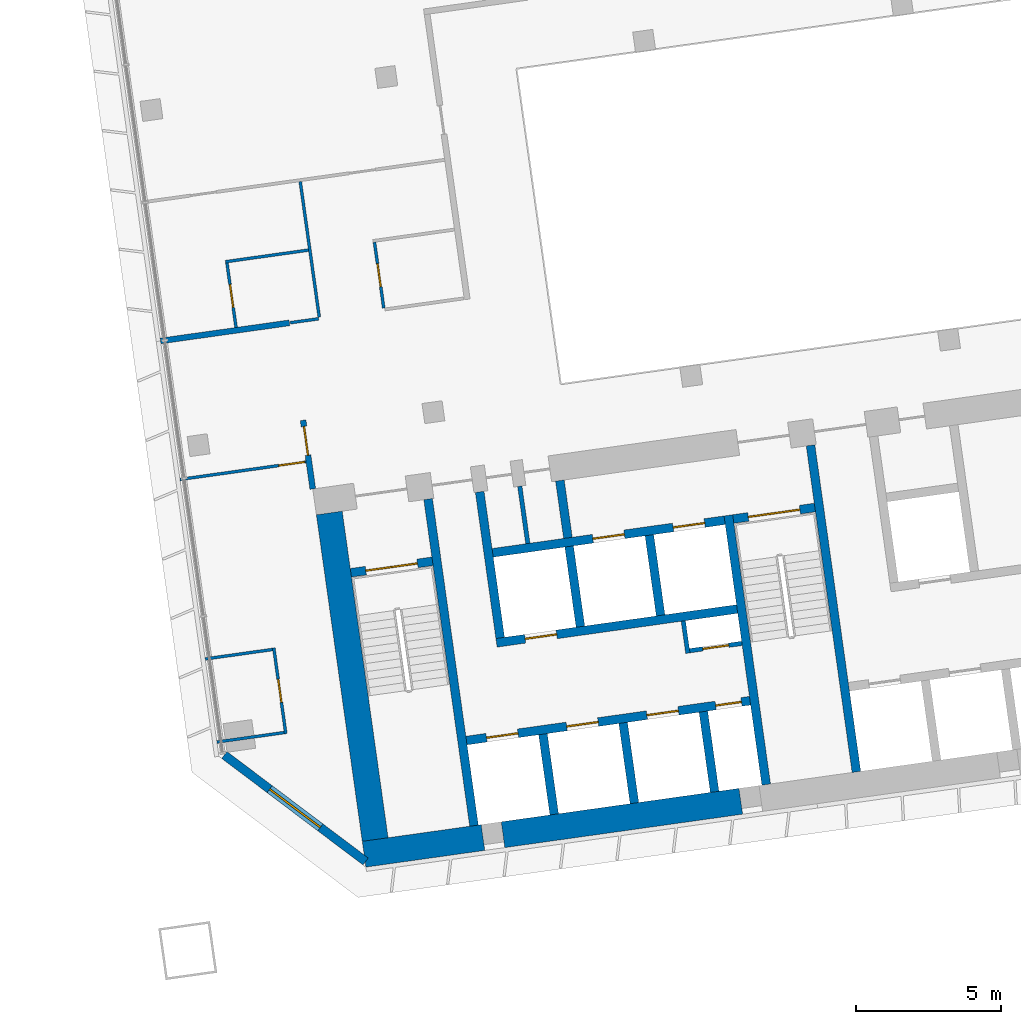
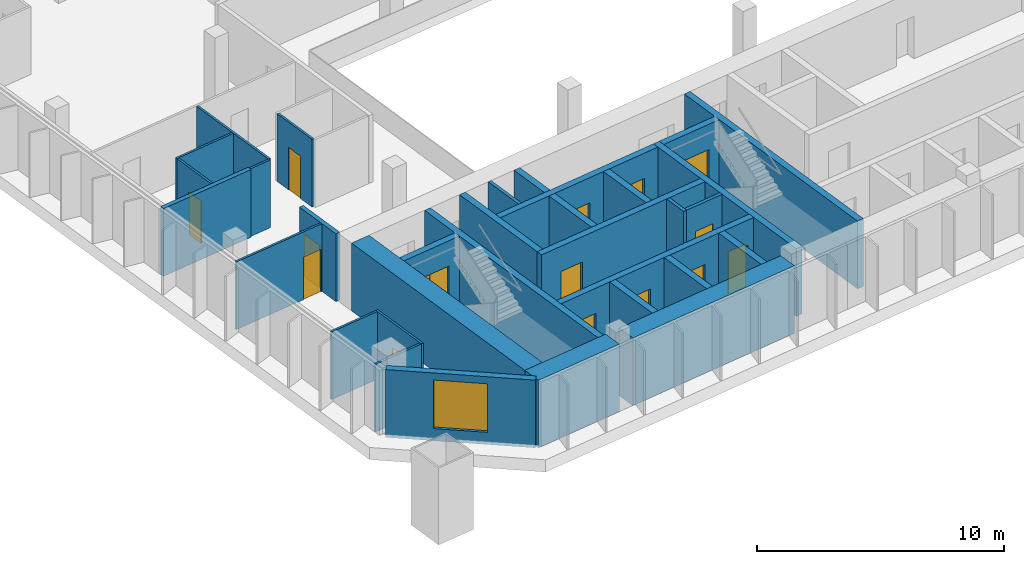
# One storey, part 19 of 25: 33 walls, 15 doors, 1 window, 16 openings.
"""IFC4 building model written with IfcOpenShell, lengths in metres."""

from ifc_helpers import new_model, si_unit, direction, frame, frame_2d, origin, place, context, subcontext, project, spatial, rectangle, extrude, material, layer, layer_set, type_object, element, fill, save


model = new_model("IFC4")

# Units and contexts
model_context = context("Model", 3, precision=1e-05, world=origin(), true_north=direction((0.0, 1.0)))
body_context = subcontext(model_context, "Body", "Model", "MODEL_VIEW")
ifc_project = project(units=[si_unit("LENGTHUNIT", "METRE"), si_unit("AREAUNIT", "SQUARE_METRE"), si_unit("VOLUMEUNIT", "CUBIC_METRE"), si_unit("PLANEANGLEUNIT", "RADIAN"), si_unit("MASSUNIT", "GRAM", prefix="KILO")], contexts=[model_context])

# Site, building, storey
site_placement = place(None, origin())
site = spatial("IfcSite", under=ifc_project, at=site_placement, CompositionType="ELEMENT")
building_placement = place(site_placement, origin())
building = spatial("IfcBuilding", under=site, at=building_placement, Name="Mirante Cascada Hotel Towers", CompositionType="ELEMENT")
storey_placement = place(building_placement, frame((0.0, 0.0, 58.5)))
storey = spatial("IfcBuildingStorey", under=building, at=storey_placement, Name="L11", CompositionType="ELEMENT", Elevation=58.5)

# Wall
ifc_material_1 = material(Name="Fire-rated plasterboard on metal studs")
ifc_layer_1 = layer(ifc_material_1, 0.2)
ifc_layer_set_1 = layer_set([ifc_layer_1], Name="Compartment wall 200 EI 120")
wall_type_1 = type_object("IfcWallType", Name="Compartment wall 200 EI 120", PredefinedType="PARTITIONING", material=ifc_layer_set_1)
wall_1_placement = place(storey_placement, frame((30.0, -2.0, 0.0), z_axis=(0.0, 0.0, 1.0), x_axis=(0.9902674, 0.1391779, 0.0)))
element("IfcWall", 1, at=wall_1_placement, inside=storey, type_object=wall_type_1, Name="Wall 2-L11-04", PredefinedType="PARTITIONING", context=body_context, shape_type="SweptSolid", body=[
    extrude(rectangle(XDim=4.5, YDim=0.2, at=frame_2d((2.25, 0.0))), origin(), (0.0, 0.0, 1.0), 3.35),
])

# Wall, opening, door
wall_2_placement = place(storey_placement, frame((34.9294, -4.7406, 0.0), z_axis=(0.0, 0.0, 1.0), x_axis=(0.1391635, -0.9902694, 0.0)))
wall_2 = element("IfcWall", 2, at=wall_2_placement, inside=storey, type_object=wall_type_1, Name="Wall 2-L11-33", PredefinedType="PARTITIONING", context=body_context, shape_type="SweptSolid", body=[
    extrude(rectangle(XDim=2.4001, YDim=0.2, at=frame_2d((1.2, 0.0))), origin(), (0.0, 0.0, 1.0), 3.35),
])
opening_1_placement = place(wall_2_placement, frame((0.2167, 0.0, 0.0)))
opening_1 = element("IfcOpeningElement", 3, at=opening_1_placement, cuts=wall_2, Name="Opening D2-L11-28", PredefinedType="OPENING", context=body_context, shape_type="SweptSolid", body=[
    extrude(rectangle(XDim=1.0, YDim=2.1, at=frame_2d((0.5, 1.05))), frame((0.0, 0.1, 0.0), z_axis=(0.0, -1.0, 0.0), x_axis=(1.0, 0.0, 0.0)), (0.0, 0.0, 1.0), 0.2),
])
ifc_material_2 = material(Name="Fire-rated timber door leaf", Category="wood")
door_type_1 = type_object("IfcDoorType", Name="Entrance door DG1 1000x2100 EI 60", OperationType="SINGLE_SWING_LEFT", PredefinedType="DOOR", material=ifc_material_2)
door_1_placement = place(opening_1_placement, frame((1.0, 0.0, 0.0), z_axis=(0.0, 0.0, 1.0), x_axis=(-1.0, 0.0, 0.0)))
door_1 = element("IfcDoor", 4, at=door_1_placement, inside=storey, type_object=door_type_1, Name="Door D2-L11-28", OperationType="SINGLE_SWING_RIGHT", OverallHeight=2.1, OverallWidth=1.0, PredefinedType="DOOR", context=body_context, shape_type="SweptSolid", body=[
    extrude(rectangle(XDim=1.0, YDim=2.1, at=frame_2d((0.5, 1.05))), frame((0.0, 0.025, 0.0), z_axis=(0.0, -1.0, 0.0), x_axis=(1.0, 0.0, 0.0)), (0.0, 0.0, 1.0), 0.05),
])
fill(opening_1, door_1)

# Wall
ifc_material_3 = material(Name="Masonry block", Category="masonry")
ifc_layer_2 = layer(ifc_material_3, 0.15)
ifc_layer_set_2 = layer_set([ifc_layer_2], Name="Core room partition 150 block EI 30")
wall_type_2 = type_object("IfcWallType", Name="Core room partition 150 block EI 30", PredefinedType="PARTITIONING", material=ifc_layer_set_2)
wall_3_placement = place(storey_placement, frame((48.2295, -12.793, 0.0), z_axis=(0.0, 0.0, 1.0), x_axis=(-0.1391935, 0.9902652, 0.0)))
element("IfcWall", 5, at=wall_3_placement, inside=storey, type_object=wall_type_2, Name="Core wall partition T2 L11 2", PredefinedType="PARTITIONING", context=body_context, shape_type="SweptSolid", body=[
    extrude(rectangle(XDim=1.1251, YDim=0.15, at=frame_2d((0.5626, 0.0))), origin(), (0.0, 0.0, 1.0), 3.35),
])

# Wall, opening, door
wall_4_placement = place(storey_placement, frame((48.2933, -12.7083, 0.0), z_axis=(0.0, 0.0, 1.0), x_axis=(0.990268, 0.1391734, 0.0)))
wall_4 = element("IfcWall", 6, at=wall_4_placement, inside=storey, type_object=wall_type_2, Name="Core wall partition T2 L11 3", PredefinedType="PARTITIONING", context=body_context, shape_type="SweptSolid", body=[
    extrude(rectangle(XDim=1.8251, YDim=0.15, at=frame_2d((0.9126, 0.0))), origin(), (0.0, 0.0, 1.0), 3.35),
])
opening_2_placement = place(wall_4_placement, frame((0.4625, 0.0, 0.0)))
opening_2 = element("IfcOpeningElement", 7, at=opening_2_placement, cuts=wall_4, Name="Opening D2-11-C23", PredefinedType="OPENING", context=body_context, shape_type="SweptSolid", body=[
    extrude(rectangle(XDim=0.9, YDim=2.1, at=frame_2d((0.45, 1.05))), frame((0.0, 0.075, 0.0), z_axis=(0.0, -1.0, 0.0), x_axis=(1.0, 0.0, 0.0)), (0.0, 0.0, 1.0), 0.15),
])
ifc_material_4 = material(Name="Hollow metal fire door leaf")
door_type_2 = type_object("IfcDoorType", Name="Fire door 900x2100 FD60", OperationType="NOTDEFINED", PredefinedType="DOOR", material=ifc_material_4)
door_2_placement = place(opening_2_placement, frame((0.9, 0.0, 0.0), z_axis=(0.0, 0.0, 1.0), x_axis=(-1.0, 0.0, 0.0)))
door_2 = element("IfcDoor", 8, at=door_2_placement, inside=storey, type_object=door_type_2, Name="Riser door T2 L11 23", OperationType="SINGLE_SWING_RIGHT", OverallHeight=2.1, OverallWidth=0.9, PredefinedType="DOOR", context=body_context, shape_type="SweptSolid", body=[
    extrude(rectangle(XDim=0.9, YDim=2.1, at=frame_2d((0.45, 1.05))), frame((0.0, 0.025, 0.0), z_axis=(0.0, -1.0, 0.0), x_axis=(1.0, 0.0, 0.0)), (0.0, 0.0, 1.0), 0.05),
])
fill(opening_2, door_2)

# Walls
wall_5_placement = place(storey_placement, frame((42.6979, -9.0009, 0.0), z_axis=(0.0, 0.0, 1.0), x_axis=(-0.1391529, 0.9902709, 0.0)))
element("IfcWall", 9, at=wall_5_placement, inside=storey, type_object=wall_type_2, Name="Core wall partition T2 L11 4", PredefinedType="PARTITIONING", context=body_context, shape_type="SweptSolid", body=[
    extrude(rectangle(XDim=2.0, YDim=0.15, at=frame_2d((1.0, 0.0))), origin(), (0.0, 0.0, 1.0), 3.35),
])
ifc_material_5 = material(Name="Masonry block", Category="masonry")
ifc_layer_3 = layer(ifc_material_5, 0.3)
ifc_layer_set_3 = layer_set([ifc_layer_3], Name="Core wall 300 block EI 120")
wall_type_3 = type_object("IfcWallType", Name="Core wall 300 block EI 120", PredefinedType="PARTITIONING", material=ifc_layer_set_3)
wall_6_placement = place(storey_placement, frame((44.0843, -8.8061, 0.0), z_axis=(0.0, 0.0, 1.0), x_axis=(-0.1391951, 0.990265, 0.0)))
element("IfcWall", 10, at=wall_6_placement, inside=storey, type_object=wall_type_3, Name="Core wall partition T2 L11 1", PredefinedType="PARTITIONING", context=body_context, shape_type="SweptSolid", body=[
    extrude(rectangle(XDim=2.0001, YDim=0.3, at=frame_2d((1.0001, 0.0))), origin(), (0.0, 0.0, 1.0), 3.35),
])
ifc_material_6 = material(Name="Plasterboard on metal studs")
ifc_layer_4 = layer(ifc_material_6, 0.1)
ifc_layer_set_4 = layer_set([ifc_layer_4], Name="Partition 100")
wall_type_4 = type_object("IfcWallType", Name="Partition 100", PredefinedType="PARTITIONING", material=ifc_layer_set_4)
for number, where, z_axis, x_axis, name in (
    (11, (34.2756, -15.5367, 0.0), (0.0, 0.0, 1.0), (-0.9902661, -0.139187, 0.0), "Wall 2-L11-01"),
    (12, (31.5448, -12.992, 0.0), (0.0, 0.0, 1.0), (0.9902661, 0.139187, 0.0), "Wall 2-L11-02"),
):
    element("IfcWall", number, at=place(storey_placement, frame(where, z_axis=z_axis, x_axis=x_axis)), inside=storey, type_object=wall_type_4, Name=name, PredefinedType="PARTITIONING", context=body_context, shape_type="SweptSolid", body=[
        extrude(rectangle(XDim=2.3501, YDim=0.1, at=frame_2d((1.175, 0.0))), origin(), (0.0, 0.0, 1.0), 3.35),
    ])

# Wall, opening, door
wall_7_placement = place(storey_placement, frame((35.0298, -6.1739, 0.0), z_axis=(0.0, 0.0, 1.0), x_axis=(-0.9902665, -0.1391841, 0.0)))
wall_7 = element("IfcWall", 13, at=wall_7_placement, inside=storey, type_object=wall_type_4, Name="Wall 2-L11-03", PredefinedType="PARTITIONING", context=body_context, shape_type="SweptSolid", body=[
    extrude(rectangle(XDim=4.3999, YDim=0.1, at=frame_2d((2.2, 0.0))), origin(), (0.0, 0.0, 1.0), 3.35),
])
opening_3_placement = place(wall_7_placement, frame((0.05, 0.0, 0.0)))
opening_3 = element("IfcOpeningElement", 14, at=opening_3_placement, cuts=wall_7, Name="Opening D2-L11-01", PredefinedType="OPENING", context=body_context, shape_type="SweptSolid", body=[
    extrude(rectangle(XDim=0.9, YDim=2.1, at=frame_2d((0.45, 1.05))), frame((0.0, 0.05, 0.0), z_axis=(0.0, -1.0, 0.0), x_axis=(1.0, 0.0, 0.0)), (0.0, 0.0, 1.0), 0.1),
])
ifc_material_7 = material(Name="Timber door leaf", Category="wood")
door_type_3 = type_object("IfcDoorType", Name="Room door DG3 900x2100", OperationType="SINGLE_SWING_LEFT", PredefinedType="DOOR", material=ifc_material_7)
door_3_placement = place(opening_3_placement, origin())
door_3 = element("IfcDoor", 15, at=door_3_placement, inside=storey, type_object=door_type_3, Name="Door D2-L11-01", OperationType="SINGLE_SWING_LEFT", OverallHeight=2.1, OverallWidth=0.9, PredefinedType="DOOR", context=body_context, shape_type="SweptSolid", body=[
    extrude(rectangle(XDim=0.9, YDim=2.1, at=frame_2d((0.45, 1.05))), frame((0.0, 0.025, 0.0), z_axis=(0.0, -1.0, 0.0), x_axis=(1.0, 0.0, 0.0)), (0.0, 0.0, 1.0), 0.05),
])
fill(opening_3, door_3)

# Walls
wall_8_placement = place(storey_placement, frame((35.4663, -1.2318, 0.0), z_axis=(0.0, 0.0, 1.0), x_axis=(-0.9902801, -0.1390877, 0.0)))
element("IfcWall", 16, at=wall_8_placement, inside=storey, type_object=wall_type_4, Name="Wall 2-L11-05", PredefinedType="PARTITIONING", context=body_context, shape_type="SweptSolid", body=[
    extrude(rectangle(XDim=0.99, YDim=0.1, at=frame_2d((0.495, 0.0))), origin(), (0.0, 0.0, 1.0), 3.35),
])
wall_9_placement = place(storey_placement, frame((32.2407, 0.7385, 0.0), z_axis=(0.0, 0.0, 1.0), x_axis=(0.9902683, 0.1391714, 0.0)))
element("IfcWall", 17, at=wall_9_placement, inside=storey, type_object=wall_type_4, Name="Wall 2-L11-08", PredefinedType="PARTITIONING", context=body_context, shape_type="SweptSolid", body=[
    extrude(rectangle(XDim=2.9, YDim=0.1, at=frame_2d((1.45, 0.0))), origin(), (0.0, 0.0, 1.0), 3.35),
])

# Wall, opening, door
wall_10_placement = place(storey_placement, frame((33.9145, -12.6084, 0.0), z_axis=(0.0, 0.0, 1.0), x_axis=(0.1391624, -0.9902696, 0.0)))
wall_10 = element("IfcWall", 18, at=wall_10_placement, inside=storey, type_object=wall_type_4, Name="Wall 2-L11-31", PredefinedType="PARTITIONING", context=body_context, shape_type="SweptSolid", body=[
    extrude(rectangle(XDim=3.0001, YDim=0.1, at=frame_2d((1.5001, 0.0))), origin(), (0.0, 0.0, 1.0), 3.35),
])
opening_4_placement = place(wall_10_placement, frame((1.1, 0.0, 0.0)))
opening_4 = element("IfcOpeningElement", 19, at=opening_4_placement, cuts=wall_10, Name="Opening D2-L11-26", PredefinedType="OPENING", context=body_context, shape_type="SweptSolid", body=[
    extrude(rectangle(XDim=0.8, YDim=2.1, at=frame_2d((0.4, 1.05))), frame((0.0, 0.05, 0.0), z_axis=(0.0, -1.0, 0.0), x_axis=(1.0, 0.0, 0.0)), (0.0, 0.0, 1.0), 0.1),
])
ifc_material_8 = material(Name="Timber door leaf", Category="wood")
door_type_4 = type_object("IfcDoorType", Name="Bathroom door DG4 800x2100", OperationType="SINGLE_SWING_LEFT", PredefinedType="DOOR", material=ifc_material_8)
door_4_placement = place(opening_4_placement, origin())
door_4 = element("IfcDoor", 20, at=door_4_placement, inside=storey, type_object=door_type_4, Name="Door D2-L11-26", OperationType="SINGLE_SWING_LEFT", OverallHeight=2.1, OverallWidth=0.8, PredefinedType="DOOR", context=body_context, shape_type="SweptSolid", body=[
    extrude(rectangle(XDim=0.8, YDim=2.1, at=frame_2d((0.4, 1.05))), frame((0.0, 0.025, 0.0), z_axis=(0.0, -1.0, 0.0), x_axis=(1.0, 0.0, 0.0)), (0.0, 0.0, 1.0), 0.05),
])
fill(opening_4, door_4)

wall_11_placement = place(storey_placement, frame((32.6103, -1.5322, 0.0), z_axis=(0.0, 0.0, 1.0), x_axis=(-0.1391561, 0.9902705, 0.0)))
wall_11 = element("IfcWall", 21, at=wall_11_placement, inside=storey, type_object=wall_type_4, Name="Wall 2-L11-32", PredefinedType="PARTITIONING", context=body_context, shape_type="SweptSolid", body=[
    extrude(rectangle(XDim=2.25, YDim=0.1, at=frame_2d((1.125, 0.0))), origin(), (0.0, 0.0, 1.0), 3.35),
])
opening_5_placement = place(wall_11_placement, frame((0.7, 0.0, 0.0)))
opening_5 = element("IfcOpeningElement", 22, at=opening_5_placement, cuts=wall_11, Name="Opening D2-L11-27", PredefinedType="OPENING", context=body_context, shape_type="SweptSolid", body=[
    extrude(rectangle(XDim=0.8, YDim=2.1, at=frame_2d((0.4, 1.05))), frame((0.0, 0.05, 0.0), z_axis=(0.0, -1.0, 0.0), x_axis=(1.0, 0.0, 0.0)), (0.0, 0.0, 1.0), 0.1),
])
door_5_placement = place(opening_5_placement, frame((0.8, 0.0, 0.0), z_axis=(0.0, 0.0, 1.0), x_axis=(-1.0, 0.0, 0.0)))
door_5 = element("IfcDoor", 23, at=door_5_placement, inside=storey, type_object=door_type_4, Name="Door D2-L11-27", OperationType="SINGLE_SWING_RIGHT", OverallHeight=2.1, OverallWidth=0.8, PredefinedType="DOOR", context=body_context, shape_type="SweptSolid", body=[
    extrude(rectangle(XDim=0.8, YDim=2.1, at=frame_2d((0.4, 1.05))), frame((0.0, 0.025, 0.0), z_axis=(0.0, -1.0, 0.0), x_axis=(1.0, 0.0, 0.0)), (0.0, 0.0, 1.0), 0.05),
])
fill(opening_5, door_5)

# Wall
wall_12_placement = place(storey_placement, frame((34.8303, 3.5092, 0.0), z_axis=(0.0, 0.0, 1.0), x_axis=(0.1391613, -0.9902697, 0.0)))
element("IfcWall", 24, at=wall_12_placement, inside=storey, type_object=wall_type_4, Name="Wall 2-L11-35", PredefinedType="PARTITIONING", context=body_context, shape_type="SweptSolid", body=[
    extrude(rectangle(XDim=4.7334, YDim=0.1, at=frame_2d((2.3667, 0.0))), origin(), (0.0, 0.0, 1.0), 3.35),
])

# Wall, opening, door
wall_13_placement = place(storey_placement, frame((37.7171, -0.8649, 0.0), z_axis=(0.0, 0.0, 1.0), x_axis=(-0.1391749, 0.9902678, 0.0)))
wall_13 = element("IfcWall", 25, at=wall_13_placement, inside=storey, type_object=wall_type_4, Name="Wall 2-L11-36", PredefinedType="PARTITIONING", context=body_context, shape_type="SweptSolid", body=[
    extrude(rectangle(XDim=2.3, YDim=0.1, at=frame_2d((1.15, 0.0))), origin(), (0.0, 0.0, 1.0), 3.35),
])
opening_6_placement = place(wall_13_placement, frame((0.75, 0.0, 0.0)))
opening_6 = element("IfcOpeningElement", 26, at=opening_6_placement, cuts=wall_13, Name="Opening D2-L11-30", PredefinedType="OPENING", context=body_context, shape_type="SweptSolid", body=[
    extrude(rectangle(XDim=0.8, YDim=2.1, at=frame_2d((0.4, 1.05))), frame((0.0, 0.05, 0.0), z_axis=(0.0, -1.0, 0.0), x_axis=(1.0, 0.0, 0.0)), (0.0, 0.0, 1.0), 0.1),
])
door_6_placement = place(opening_6_placement, frame((0.8, 0.0, 0.0), z_axis=(0.0, 0.0, 1.0), x_axis=(-1.0, 0.0, 0.0)))
door_6 = element("IfcDoor", 27, at=door_6_placement, inside=storey, type_object=door_type_4, Name="Door D2-L11-30", OperationType="SINGLE_SWING_RIGHT", OverallHeight=2.1, OverallWidth=0.8, PredefinedType="DOOR", context=body_context, shape_type="SweptSolid", body=[
    extrude(rectangle(XDim=0.8, YDim=2.1, at=frame_2d((0.4, 1.05))), frame((0.0, 0.025, 0.0), z_axis=(0.0, -1.0, 0.0), x_axis=(1.0, 0.0, 0.0)), (0.0, 0.0, 1.0), 0.05),
])
fill(opening_6, door_6)

# Wall, opening, window
ifc_material_9 = material(Name="Precast concrete C40/50", Category="concrete")
ifc_layer_5 = layer(ifc_material_9, 0.3)
ifc_layer_set_5 = layer_set([ifc_layer_5], Name="Precast concrete C40/50 cladding wall 300")
wall_type_5 = type_object("IfcWallType", Name="Precast concrete C40/50 cladding wall 300", PredefinedType="STANDARD", material=ifc_layer_set_5)
wall_14_placement = place(storey_placement, frame((32.2074, -16.3138, 0.0), z_axis=(0.0, 0.0, 1.0), x_axis=(0.7986362, -0.6018141, 0.0)))
wall_14 = element("IfcWall", 28, at=wall_14_placement, inside=storey, type_object=wall_type_5, Name="Corner cladding wall T2 L11 inner rear", PredefinedType="STANDARD", context=body_context, shape_type="SweptSolid", body=[
    extrude(rectangle(XDim=6.1157, YDim=0.3, at=frame_2d((3.0578, 0.0))), origin(), (0.0, 0.0, 1.0), 3.35),
])
opening_7_placement = place(wall_14_placement, frame((1.9578, 0.0, 0.6)))
opening_7 = element("IfcOpeningElement", 29, at=opening_7_placement, cuts=wall_14, Name="Opening W2-11-05", PredefinedType="OPENING", context=body_context, shape_type="SweptSolid", body=[
    extrude(rectangle(XDim=2.2, YDim=2.4, at=frame_2d((1.1, 1.2))), frame((0.0, 0.15, 0.0), z_axis=(0.0, -1.0, 0.0), x_axis=(1.0, 0.0, 0.0)), (0.0, 0.0, 1.0), 0.3),
])
ifc_material_10 = material(Name="Aluminium frame with clear double glazing", Category="aluminium")
window_type = type_object("IfcWindowType", Name="Corner suite window 2200x2400", PartitioningType="DOUBLE_PANEL_VERTICAL", PredefinedType="WINDOW", material=ifc_material_10)
window_placement = place(opening_7_placement, origin())
window = element("IfcWindow", 30, at=window_placement, inside=storey, type_object=window_type, Name="Window W2-11-05", OverallHeight=2.4, OverallWidth=2.2, PartitioningType="SINGLE_PANEL", PredefinedType="WINDOW", context=body_context, shape_type="SweptSolid", body=[
    extrude(rectangle(XDim=2.2, YDim=2.4, at=frame_2d((1.1, 1.2))), frame((0.0, 0.03, 0.0), z_axis=(0.0, -1.0, 0.0), x_axis=(1.0, 0.0, 0.0)), (0.0, 0.0, 1.0), 0.06),
])
fill(opening_7, window)

# Walls
ifc_material_11 = material(Name="Concrete C50/60", Category="concrete")
ifc_layer_6 = layer(ifc_material_11, 0.3)
ifc_layer_set_6 = layer_set([ifc_layer_6], Name="RC core wall 300 C50/60")
wall_type_6 = type_object("IfcWallType", Name="RC core wall 300 C50/60", PredefinedType="SHEAR", material=ifc_layer_set_6)
wall_15_placement = place(storey_placement, frame((40.8373, -18.7548, 0.0), z_axis=(0.0, 0.0, 1.0), x_axis=(-0.1391749, 0.9902678, 0.0)))
element("IfcWall", 31, at=wall_15_placement, inside=storey, type_object=wall_type_6, Name="Core wall T2:L11:5", PredefinedType="SHEAR", context=body_context, shape_type="SweptSolid", body=[
    extrude(rectangle(XDim=11.4, YDim=0.3, at=frame_2d((5.7, 0.0))), origin(), (0.0, 0.0, 1.0), 3.35),
])
wall_16_placement = place(storey_placement, frame((50.938, -17.3352, 0.0), z_axis=(0.0, 0.0, 1.0), x_axis=(-0.1391706, 0.9902684, 0.0)))
element("IfcWall", 32, at=wall_16_placement, inside=storey, type_object=wall_type_6, Name="Core wall T2:L11:6", PredefinedType="SHEAR", context=body_context, shape_type="SweptSolid", body=[
    extrude(rectangle(XDim=9.4, YDim=0.3, at=frame_2d((4.7, 0.0))), origin(), (0.0, 0.0, 1.0), 3.35),
])
wall_17_placement = place(storey_placement, frame((54.0574, -16.8968, 0.0), z_axis=(0.0, 0.0, 1.0), x_axis=(-0.1391761, 0.9902677, 0.0)))
element("IfcWall", 33, at=wall_17_placement, inside=storey, type_object=wall_type_6, Name="Core wall T2:L11:7", PredefinedType="SHEAR", context=body_context, shape_type="SweptSolid", body=[
    extrude(rectangle(XDim=11.3999, YDim=0.3, at=frame_2d((5.7, 0.0))), origin(), (0.0, 0.0, 1.0), 3.35),
])

# Wall, opening, door
wall_18_placement = place(storey_placement, frame((36.5791, -10.0123, 0.0), z_axis=(0.0, 0.0, 1.0), x_axis=(0.9902704, 0.1391564, 0.0)))
wall_18 = element("IfcWall", 34, at=wall_18_placement, inside=storey, type_object=wall_type_6, Name="Core wall T2:L11:9", PredefinedType="SHEAR", context=body_context, shape_type="SweptSolid", body=[
    extrude(rectangle(XDim=2.85, YDim=0.3, at=frame_2d((1.425, 0.0))), origin(), (0.0, 0.0, 1.0), 3.35),
])
opening_8_placement = place(wall_18_placement, frame((0.525, 0.0, 0.0)))
opening_8 = element("IfcOpeningElement", 35, at=opening_8_placement, cuts=wall_18, Name="Opening D2-11-C13", PredefinedType="OPENING", context=body_context, shape_type="SweptSolid", body=[
    extrude(rectangle(XDim=1.8, YDim=2.1, at=frame_2d((0.9, 1.05))), frame((0.0, 0.15, 0.0), z_axis=(0.0, -1.0, 0.0), x_axis=(1.0, 0.0, 0.0)), (0.0, 0.0, 1.0), 0.3),
])
ifc_material_12 = material(Name="Hollow metal fire door leaf")
door_type_5 = type_object("IfcDoorType", Name="Double fire door 1800x2100 FD60", OperationType="DOUBLE_DOOR_SINGLE_SWING", PredefinedType="DOOR", material=ifc_material_12)
door_7_placement = place(opening_8_placement, frame((1.8, 0.0, 0.0), z_axis=(0.0, 0.0, 1.0), x_axis=(-1.0, 0.0, 0.0)))
door_7 = element("IfcDoor", 36, at=door_7_placement, inside=storey, type_object=door_type_5, Name="Stair door T2 L11 13", OperationType="DOUBLE_DOOR_SINGLE_SWING", OverallHeight=2.1, OverallWidth=1.8, PredefinedType="DOOR", context=body_context, shape_type="SweptSolid", body=[
    extrude(rectangle(XDim=0.895, YDim=2.1, at=frame_2d((0.4475, 1.05))), frame((0.0, 0.025, 0.0), z_axis=(0.0, -1.0, 0.0), x_axis=(1.0, 0.0, 0.0)), (0.0, 0.0, 1.0), 0.05),
    extrude(rectangle(XDim=0.895, YDim=2.1, at=frame_2d((1.3525, 1.05))), frame((0.0, 0.025, 0.0), z_axis=(0.0, -1.0, 0.0), x_axis=(1.0, 0.0, 0.0)), (0.0, 0.0, 1.0), 0.05),
])
fill(opening_8, door_7)

wall_19_placement = place(storey_placement, frame((49.7992, -8.1544, 0.0), z_axis=(0.0, 0.0, 1.0), x_axis=(0.9902656, 0.1391909, 0.0)))
wall_19 = element("IfcWall", 37, at=wall_19_placement, inside=storey, type_object=wall_type_6, Name="Core wall T2:L11:10", PredefinedType="SHEAR", context=body_context, shape_type="SweptSolid", body=[
    extrude(rectangle(XDim=2.85, YDim=0.3, at=frame_2d((1.425, 0.0))), origin(), (0.0, 0.0, 1.0), 3.35),
])
opening_9_placement = place(wall_19_placement, frame((0.525, 0.0, 0.0)))
opening_9 = element("IfcOpeningElement", 38, at=opening_9_placement, cuts=wall_19, Name="Opening D2-11-C15", PredefinedType="OPENING", context=body_context, shape_type="SweptSolid", body=[
    extrude(rectangle(XDim=1.8, YDim=2.1, at=frame_2d((0.9, 1.05))), frame((0.0, 0.15, 0.0), z_axis=(0.0, -1.0, 0.0), x_axis=(1.0, 0.0, 0.0)), (0.0, 0.0, 1.0), 0.3),
])
door_8_placement = place(opening_9_placement, frame((1.8, 0.0, 0.0), z_axis=(0.0, 0.0, 1.0), x_axis=(-1.0, 0.0, 0.0)))
door_8 = element("IfcDoor", 39, at=door_8_placement, inside=storey, type_object=door_type_5, Name="Stair door T2 L11 15", OperationType="DOUBLE_DOOR_SINGLE_SWING", OverallHeight=2.1, OverallWidth=1.8, PredefinedType="DOOR", context=body_context, shape_type="SweptSolid", body=[
    extrude(rectangle(XDim=0.895, YDim=2.1, at=frame_2d((0.4475, 1.05))), frame((0.0, 0.025, 0.0), z_axis=(0.0, -1.0, 0.0), x_axis=(1.0, 0.0, 0.0)), (0.0, 0.0, 1.0), 0.05),
    extrude(rectangle(XDim=0.895, YDim=2.1, at=frame_2d((1.3525, 1.05))), frame((0.0, 0.025, 0.0), z_axis=(0.0, -1.0, 0.0), x_axis=(1.0, 0.0, 0.0)), (0.0, 0.0, 1.0), 0.05),
])
fill(opening_9, door_8)

# Wall, openings, doors
wall_20_placement = place(storey_placement, frame((40.5753, -15.8126, 0.0), z_axis=(0.0, 0.0, 1.0), x_axis=(0.9902682, 0.1391725, 0.0)))
wall_20 = element("IfcWall", 40, at=wall_20_placement, inside=storey, type_object=wall_type_6, Name="Core wall T2:L11:12", PredefinedType="SHEAR", context=body_context, shape_type="SweptSolid", body=[
    extrude(rectangle(XDim=9.8999, YDim=0.3, at=frame_2d((4.95, 0.0))), origin(), (0.0, 0.0, 1.0), 3.35),
])
opening_10_placement = place(wall_20_placement, frame((0.7, 0.0, 0.0)))
opening_10 = element("IfcOpeningElement", 41, at=opening_10_placement, cuts=wall_20, Name="Opening LD", PredefinedType="OPENING", context=body_context, shape_type="SweptSolid", body=[
    extrude(rectangle(XDim=1.1, YDim=2.1, at=frame_2d((0.55, 1.05))), frame((0.0, 0.15, 0.0), z_axis=(0.0, -1.0, 0.0), x_axis=(1.0, 0.0, 0.0)), (0.0, 0.0, 1.0), 0.3),
])
opening_11_placement = place(wall_20_placement, frame((3.5, 0.0, 0.0)))
opening_11 = element("IfcOpeningElement", 42, at=opening_11_placement, cuts=wall_20, Name="Opening LD", PredefinedType="OPENING", context=body_context, shape_type="SweptSolid", body=[
    extrude(rectangle(XDim=1.1, YDim=2.1, at=frame_2d((0.55, 1.05))), frame((0.0, 0.15, 0.0), z_axis=(0.0, -1.0, 0.0), x_axis=(1.0, 0.0, 0.0)), (0.0, 0.0, 1.0), 0.3),
])
opening_12_placement = place(wall_20_placement, frame((6.3, 0.0, 0.0)))
opening_12 = element("IfcOpeningElement", 43, at=opening_12_placement, cuts=wall_20, Name="Opening LD", PredefinedType="OPENING", context=body_context, shape_type="SweptSolid", body=[
    extrude(rectangle(XDim=1.1, YDim=2.1, at=frame_2d((0.55, 1.05))), frame((0.0, 0.15, 0.0), z_axis=(0.0, -1.0, 0.0), x_axis=(1.0, 0.0, 0.0)), (0.0, 0.0, 1.0), 0.3),
])
opening_13_placement = place(wall_20_placement, frame((8.7, 0.0, 0.0)))
opening_13 = element("IfcOpeningElement", 44, at=opening_13_placement, cuts=wall_20, Name="Opening D2-11-C22", PredefinedType="OPENING", context=body_context, shape_type="SweptSolid", body=[
    extrude(rectangle(XDim=0.9, YDim=2.1, at=frame_2d((0.45, 1.05))), frame((0.0, 0.15, 0.0), z_axis=(0.0, -1.0, 0.0), x_axis=(1.0, 0.0, 0.0)), (0.0, 0.0, 1.0), 0.3),
])
door_9_placement = place(opening_13_placement, frame((0.9, 0.0, 0.0), z_axis=(0.0, 0.0, 1.0), x_axis=(-1.0, 0.0, 0.0)))
door_9 = element("IfcDoor", 45, at=door_9_placement, inside=storey, type_object=door_type_2, Name="Riser door T2 L11 22", OperationType="SINGLE_SWING_RIGHT", OverallHeight=2.1, OverallWidth=0.9, PredefinedType="DOOR", context=body_context, shape_type="SweptSolid", body=[
    extrude(rectangle(XDim=0.9, YDim=2.1, at=frame_2d((0.45, 1.05))), frame((0.0, 0.025, 0.0), z_axis=(0.0, -1.0, 0.0), x_axis=(1.0, 0.0, 0.0)), (0.0, 0.0, 1.0), 0.05),
])
fill(opening_13, door_9)
ifc_material_13 = material(Name="Stainless steel", Category="steel")
door_type_6 = type_object("IfcDoorType", Name="Lift landing door 1100x2100 EI 120", OperationType="DOUBLE_DOOR_SLIDING", PredefinedType="DOOR", material=ifc_material_13)
door_10_placement = place(opening_10_placement, origin())
door_10 = element("IfcDoor", 46, at=door_10_placement, inside=storey, type_object=door_type_6, Name="Lift landing door HR2-1 L11", OperationType="DOUBLE_DOOR_SLIDING", OverallHeight=2.1, OverallWidth=1.1, PredefinedType="DOOR", context=body_context, shape_type="SweptSolid", body=[
    extrude(rectangle(XDim=0.545, YDim=2.1, at=frame_2d((0.2725, 1.05))), frame((0.0, 0.025, 0.0), z_axis=(0.0, -1.0, 0.0), x_axis=(1.0, 0.0, 0.0)), (0.0, 0.0, 1.0), 0.05),
    extrude(rectangle(XDim=0.545, YDim=2.1, at=frame_2d((0.8275, 1.05))), frame((0.0, 0.025, 0.0), z_axis=(0.0, -1.0, 0.0), x_axis=(1.0, 0.0, 0.0)), (0.0, 0.0, 1.0), 0.05),
])
fill(opening_10, door_10)
door_11_placement = place(opening_11_placement, origin())
door_11 = element("IfcDoor", 47, at=door_11_placement, inside=storey, type_object=door_type_6, Name="Lift landing door HR2-2 L11", OperationType="DOUBLE_DOOR_SLIDING", OverallHeight=2.1, OverallWidth=1.1, PredefinedType="DOOR", context=body_context, shape_type="SweptSolid", body=[
    extrude(rectangle(XDim=0.545, YDim=2.1, at=frame_2d((0.2725, 1.05))), frame((0.0, 0.025, 0.0), z_axis=(0.0, -1.0, 0.0), x_axis=(1.0, 0.0, 0.0)), (0.0, 0.0, 1.0), 0.05),
    extrude(rectangle(XDim=0.545, YDim=2.1, at=frame_2d((0.8275, 1.05))), frame((0.0, 0.025, 0.0), z_axis=(0.0, -1.0, 0.0), x_axis=(1.0, 0.0, 0.0)), (0.0, 0.0, 1.0), 0.05),
])
fill(opening_11, door_11)
door_12_placement = place(opening_12_placement, origin())
door_12 = element("IfcDoor", 48, at=door_12_placement, inside=storey, type_object=door_type_6, Name="Lift landing door HR2-3 L11", OperationType="DOUBLE_DOOR_SLIDING", OverallHeight=2.1, OverallWidth=1.1, PredefinedType="DOOR", context=body_context, shape_type="SweptSolid", body=[
    extrude(rectangle(XDim=0.545, YDim=2.1, at=frame_2d((0.2725, 1.05))), frame((0.0, 0.025, 0.0), z_axis=(0.0, -1.0, 0.0), x_axis=(1.0, 0.0, 0.0)), (0.0, 0.0, 1.0), 0.05),
    extrude(rectangle(XDim=0.545, YDim=2.1, at=frame_2d((0.8275, 1.05))), frame((0.0, 0.025, 0.0), z_axis=(0.0, -1.0, 0.0), x_axis=(1.0, 0.0, 0.0)), (0.0, 0.0, 1.0), 0.05),
])
fill(opening_12, door_12)

# Wall, opening, door
wall_21_placement = place(storey_placement, frame((41.6153, -12.435, 0.0), z_axis=(0.0, 0.0, 1.0), x_axis=(0.9902691, 0.139166, 0.0)))
wall_21 = element("IfcWall", 49, at=wall_21_placement, inside=storey, type_object=wall_type_6, Name="Core wall T2:L11:13", PredefinedType="SHEAR", context=body_context, shape_type="SweptSolid", body=[
    extrude(rectangle(XDim=8.4, YDim=0.3, at=frame_2d((4.2, 0.0))), origin(), (0.0, 0.0, 1.0), 3.35),
])
opening_14_placement = place(wall_21_placement, frame((1.0, 0.0, 0.0)))
opening_14 = element("IfcOpeningElement", 50, at=opening_14_placement, cuts=wall_21, Name="Opening LD", PredefinedType="OPENING", context=body_context, shape_type="SweptSolid", body=[
    extrude(rectangle(XDim=1.1, YDim=2.1, at=frame_2d((0.55, 1.05))), frame((0.0, 0.15, 0.0), z_axis=(0.0, -1.0, 0.0), x_axis=(1.0, 0.0, 0.0)), (0.0, 0.0, 1.0), 0.3),
])
door_13_placement = place(opening_14_placement, origin())
door_13 = element("IfcDoor", 51, at=door_13_placement, inside=storey, type_object=door_type_6, Name="Lift landing door HR2-4 L11", OperationType="DOUBLE_DOOR_SLIDING", OverallHeight=2.1, OverallWidth=1.1, PredefinedType="DOOR", context=body_context, shape_type="SweptSolid", body=[
    extrude(rectangle(XDim=0.545, YDim=2.1, at=frame_2d((0.2725, 1.05))), frame((0.0, 0.025, 0.0), z_axis=(0.0, -1.0, 0.0), x_axis=(1.0, 0.0, 0.0)), (0.0, 0.0, 1.0), 0.05),
    extrude(rectangle(XDim=0.545, YDim=2.1, at=frame_2d((0.8275, 1.05))), frame((0.0, 0.025, 0.0), z_axis=(0.0, -1.0, 0.0), x_axis=(1.0, 0.0, 0.0)), (0.0, 0.0, 1.0), 0.05),
])
fill(opening_14, door_13)

# Wall, openings, doors
wall_22_placement = place(storey_placement, frame((41.481, -9.3234, 0.0), z_axis=(0.0, 0.0, 1.0), x_axis=(0.9902679, 0.1391741, 0.0)))
wall_22 = element("IfcWall", 52, at=wall_22_placement, inside=storey, type_object=wall_type_6, Name="Core wall T2:L11:14", PredefinedType="SHEAR", context=body_context, shape_type="SweptSolid", body=[
    extrude(rectangle(XDim=8.0999, YDim=0.3, at=frame_2d((4.05, 0.0))), origin(), (0.0, 0.0, 1.0), 3.35),
])
opening_15_placement = place(wall_22_placement, frame((3.5, 0.0, 0.0)))
opening_15 = element("IfcOpeningElement", 53, at=opening_15_placement, cuts=wall_22, Name="Opening LD", PredefinedType="OPENING", context=body_context, shape_type="SweptSolid", body=[
    extrude(rectangle(XDim=1.1, YDim=2.1, at=frame_2d((0.55, 1.05))), frame((0.0, 0.15, 0.0), z_axis=(0.0, -1.0, 0.0), x_axis=(1.0, 0.0, 0.0)), (0.0, 0.0, 1.0), 0.3),
])
opening_16_placement = place(wall_22_placement, frame((6.3, 0.0, 0.0)))
opening_16 = element("IfcOpeningElement", 54, at=opening_16_placement, cuts=wall_22, Name="Opening LD", PredefinedType="OPENING", context=body_context, shape_type="SweptSolid", body=[
    extrude(rectangle(XDim=1.1, YDim=2.1, at=frame_2d((0.55, 1.05))), frame((0.0, 0.15, 0.0), z_axis=(0.0, -1.0, 0.0), x_axis=(1.0, 0.0, 0.0)), (0.0, 0.0, 1.0), 0.3),
])
door_14_placement = place(opening_15_placement, origin())
door_14 = element("IfcDoor", 55, at=door_14_placement, inside=storey, type_object=door_type_6, Name="Lift landing door FF3 L11", OperationType="DOUBLE_DOOR_SLIDING", OverallHeight=2.1, OverallWidth=1.1, PredefinedType="DOOR", context=body_context, shape_type="SweptSolid", body=[
    extrude(rectangle(XDim=0.545, YDim=2.1, at=frame_2d((0.2725, 1.05))), frame((0.0, 0.025, 0.0), z_axis=(0.0, -1.0, 0.0), x_axis=(1.0, 0.0, 0.0)), (0.0, 0.0, 1.0), 0.05),
    extrude(rectangle(XDim=0.545, YDim=2.1, at=frame_2d((0.8275, 1.05))), frame((0.0, 0.025, 0.0), z_axis=(0.0, -1.0, 0.0), x_axis=(1.0, 0.0, 0.0)), (0.0, 0.0, 1.0), 0.05),
])
fill(opening_15, door_14)
door_15_placement = place(opening_16_placement, origin())
door_15 = element("IfcDoor", 56, at=door_15_placement, inside=storey, type_object=door_type_6, Name="Lift landing door FF4 L11", OperationType="DOUBLE_DOOR_SLIDING", OverallHeight=2.1, OverallWidth=1.1, PredefinedType="DOOR", context=body_context, shape_type="SweptSolid", body=[
    extrude(rectangle(XDim=0.545, YDim=2.1, at=frame_2d((0.2725, 1.05))), frame((0.0, 0.025, 0.0), z_axis=(0.0, -1.0, 0.0), x_axis=(1.0, 0.0, 0.0)), (0.0, 0.0, 1.0), 0.05),
    extrude(rectangle(XDim=0.545, YDim=2.1, at=frame_2d((0.8275, 1.05))), frame((0.0, 0.025, 0.0), z_axis=(0.0, -1.0, 0.0), x_axis=(1.0, 0.0, 0.0)), (0.0, 0.0, 1.0), 0.05),
])
fill(opening_16, door_15)

# Walls
wall_23_placement = place(storey_placement, frame((43.61, -18.3651, 0.0), z_axis=(0.0, 0.0, 1.0), x_axis=(-0.1391459, 0.9902719, 0.0)))
element("IfcWall", 57, at=wall_23_placement, inside=storey, type_object=wall_type_6, Name="Core wall T2:L11:15", PredefinedType="SHEAR", context=body_context, shape_type="SweptSolid", body=[
    extrude(rectangle(XDim=2.7999, YDim=0.3, at=frame_2d((1.4, 0.0))), origin(), (0.0, 0.0, 1.0), 3.35),
])
wall_24_placement = place(storey_placement, frame((46.3828, -17.9754, 0.0), z_axis=(0.0, 0.0, 1.0), x_axis=(-0.139181, 0.990267, 0.0)))
element("IfcWall", 58, at=wall_24_placement, inside=storey, type_object=wall_type_6, Name="Core wall T2:L11:16", PredefinedType="SHEAR", context=body_context, shape_type="SweptSolid", body=[
    extrude(rectangle(XDim=2.8, YDim=0.3, at=frame_2d((1.4, 0.0))), origin(), (0.0, 0.0, 1.0), 3.35),
])
wall_25_placement = place(storey_placement, frame((49.1555, -17.5857, 0.0), z_axis=(0.0, 0.0, 1.0), x_axis=(-0.1391459, 0.9902719, 0.0)))
element("IfcWall", 59, at=wall_25_placement, inside=storey, type_object=wall_type_6, Name="Core wall T2:L11:17", PredefinedType="SHEAR", context=body_context, shape_type="SweptSolid", body=[
    extrude(rectangle(XDim=2.7999, YDim=0.3, at=frame_2d((1.4, 0.0))), origin(), (0.0, 0.0, 1.0), 3.35),
])
for number, where, z_axis, x_axis, name in (
    (60, (44.5157, -11.8759, 0.0), (0.0, 0.0, 1.0), (-0.139181, 0.990267, 0.0), "Core wall T2:L11:18"),
    (61, (47.2885, -11.4862, 0.0), (0.0, 0.0, 1.0), (-0.139181, 0.990267, 0.0), "Core wall T2:L11:19"),
):
    element("IfcWall", number, at=place(storey_placement, frame(where, z_axis=z_axis, x_axis=x_axis)), inside=storey, type_object=wall_type_6, Name=name, PredefinedType="SHEAR", context=body_context, shape_type="SweptSolid", body=[
        extrude(rectangle(XDim=2.8, YDim=0.3, at=frame_2d((1.4, 0.0))), origin(), (0.0, 0.0, 1.0), 3.35),
    ])
wall_26_placement = place(storey_placement, frame((41.743, -12.2656, 0.0), z_axis=(0.0, 0.0, 1.0), x_axis=(-0.1391755, 0.9902677, 0.0)))
element("IfcWall", 62, at=wall_26_placement, inside=storey, type_object=wall_type_6, Name="Core wall T2:L11:20", PredefinedType="SHEAR", context=body_context, shape_type="SweptSolid", body=[
    extrude(rectangle(XDim=5.1, YDim=0.3, at=frame_2d((2.55, 0.0))), origin(), (0.0, 0.0, 1.0), 3.35),
])
ifc_material_14 = material(Name="Concrete C50/60", Category="concrete")
ifc_layer_7 = layer(ifc_material_14, 0.9)
ifc_layer_set_7 = layer_set([ifc_layer_7], Name="RC core wall 900 C50/60")
wall_type_7 = type_object("IfcWallType", Name="RC core wall 900 C50/60", PredefinedType="SHEAR", material=ifc_layer_set_7)
wall_27_placement = place(storey_placement, frame((37.0379, -19.7432, 0.0), z_axis=(0.0, 0.0, 1.0), x_axis=(0.990267, 0.139181, 0.0)))
element("IfcWall", 63, at=wall_27_placement, inside=storey, type_object=wall_type_7, Name="Core wall T2:L11:1.1", PredefinedType="SHEAR", context=body_context, shape_type="SweptSolid", body=[
    extrude(rectangle(XDim=4.15, YDim=0.9, at=frame_2d((2.075, 0.0))), origin(), (0.0, 0.0, 1.0), 3.35),
])
wall_28_placement = place(storey_placement, frame((41.8407, -19.0682, 0.0), z_axis=(0.0, 0.0, 1.0), x_axis=(0.9902686, 0.1391692, 0.0)))
element("IfcWall", 64, at=wall_28_placement, inside=storey, type_object=wall_type_7, Name="Core wall T2:L11:1.2", PredefinedType="SHEAR", context=body_context, shape_type="SweptSolid", body=[
    extrude(rectangle(XDim=8.3, YDim=0.9, at=frame_2d((4.15, 0.0))), origin(), (0.0, 0.0, 1.0), 3.35),
])
wall_29_placement = place(storey_placement, frame((37.4209, -19.2349, 0.0), z_axis=(0.0, 0.0, 1.0), x_axis=(-0.1391761, 0.9902677, 0.0)))
element("IfcWall", 65, at=wall_29_placement, inside=storey, type_object=wall_type_7, Name="Core wall T2:L11:3", PredefinedType="SHEAR", context=body_context, shape_type="SweptSolid", body=[
    extrude(rectangle(XDim=11.3999, YDim=0.9, at=frame_2d((5.7, 0.0))), origin(), (0.0, 0.0, 1.0), 3.35),
])

save(model, "model.ifc")
